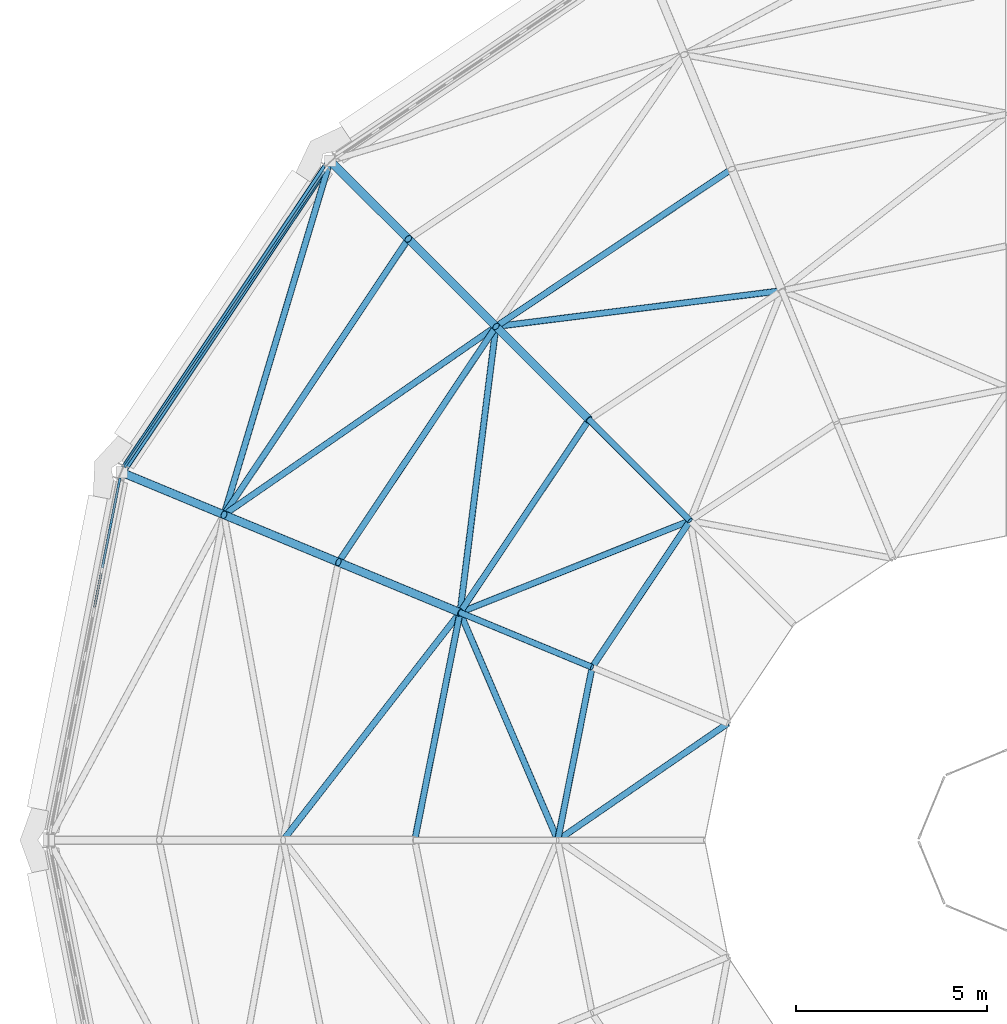
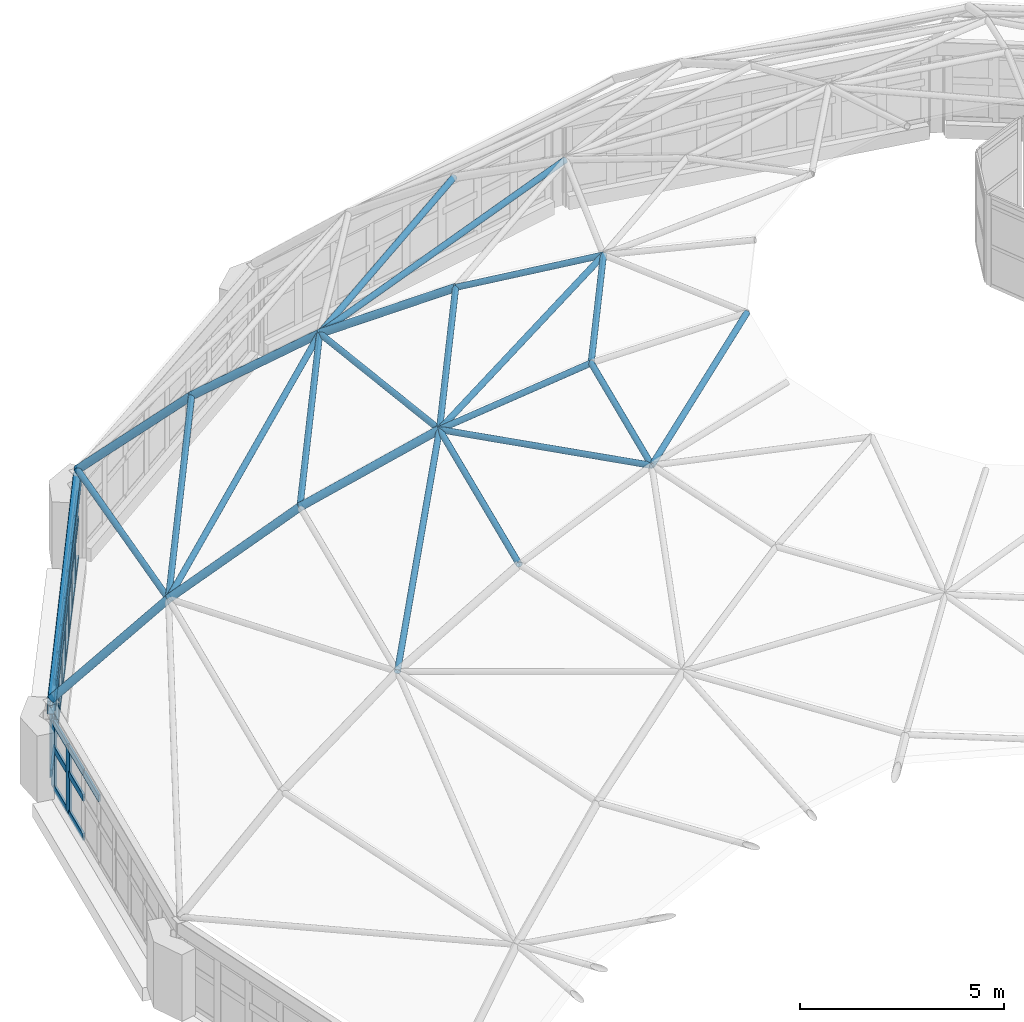
# One storey, part 19 of 68: 64 members, 1 beam, 2 elements without a shape of their own.
"""IFC4 building model written with IfcOpenShell, lengths in metres."""

from ifc_helpers import new_model, si_unit, direction, frame, origin, origin_2d, place, context, subcontext, project, spatial, rectangle, hollow_rectangle, hollow_circle, extrude, material, material_profile, profile_set, type_object, element, aggregate, save


model = new_model("IFC4")

# Units and contexts
model_context = context("Model", 3, precision=1e-05, world=origin(), true_north=direction((0.0, 1.0)))
body_context = subcontext(model_context, "Body", "Model", "MODEL_VIEW")
ifc_project = project(units=[si_unit("LENGTHUNIT", "METRE"), si_unit("AREAUNIT", "SQUARE_METRE"), si_unit("VOLUMEUNIT", "CUBIC_METRE"), si_unit("PLANEANGLEUNIT", "RADIAN"), si_unit("MASSUNIT", "GRAM", prefix="KILO")], contexts=[model_context])

# Site, building, storey
site_placement = place(None, origin())
site = spatial("IfcSite", under=ifc_project, at=site_placement, CompositionType="ELEMENT")
building_placement = place(site_placement, origin())
building = spatial("IfcBuilding", under=site, at=building_placement, Name="Kupolbacken Congress Centre", CompositionType="ELEMENT")
storey_placement = place(building_placement, frame((0.0, 0.0, 25.199951171875)))
storey = spatial("IfcBuildingStorey", under=building, at=storey_placement, Name="L07", CompositionType="ELEMENT", Elevation=25.199951171875)

# Beam
ifc_material_1 = material(Name="Steel S355", Category="steel")
ifc_material_profile_1 = material_profile(ifc_material_1, hollow_rectangle(XDim=0.199951171875, YDim=0.39990234375, WallThickness=0.012451171875, InnerFilletRadius=0.012451171875, OuterFilletRadius=0.018798828125, at=origin_2d()), Name="RHS 400 x 200 x 12.5")
ifc_profile_set_1 = profile_set([ifc_material_profile_1], Name="Steel S355")
beam_type = type_object("IfcBeamType", Name="B19 ring beam RHS 400 x 200 x 12.5", PredefinedType="BEAM", material=ifc_profile_set_1)
beam_placement = place(storey_placement, frame((25.369873046875, 104.20263671875, 2.590087890625), z_axis=(-0.555568614078, -0.831470694042, 0.0), x_axis=(0.831470694042, -0.555568614078, 0.0)))
element("IfcBeam", 1, at=beam_placement, inside=storey, type_object=beam_type, Name="DM/RB/07", PredefinedType="BEAM", context=body_context, shape_type="SweptSolid", body=[
    extrude(hollow_rectangle(XDim=0.199951171875, YDim=0.39990234375, WallThickness=0.012451171875, InnerFilletRadius=0.012451171875, OuterFilletRadius=0.018798828125, at=origin_2d()), origin(), (0.0, 0.0, 1.0), 9.79296875),
])

# Members
ifc_material_2 = material(Name="Steel S355", Category="steel")
ifc_material_profile_2 = material_profile(ifc_material_2, hollow_circle(Radius=0.109619140625, WallThickness=0.010009765625, at=origin_2d()), Name="CHS 219.1 x 10")
ifc_profile_set_2 = profile_set([ifc_material_profile_2], Name="Steel S355")
member_type_1 = type_object("IfcMemberType", Name="M15 dome rib CHS 219.1 x 10", PredefinedType="BRACE", material=ifc_profile_set_2)
for number, where, z_axis, x_axis, name in (
    (2, (25.380859375, 104.218994140625, 2.86279296875), (0.514252591467, -0.51419137092, 0.686404768515), (0.707064687739, 0.707148872128, 0.0), "DM/RIB01-07"),
    (3, (19.918212890625, 96.043701171875, 2.86279296875), (0.671844865625, -0.278312990626, 0.686415585328), (0.382713638863, 0.923867019992, 0.0), "DM/RIB01-08"),
):
    element("IfcMember", number, at=place(storey_placement, frame(where, z_axis=z_axis, x_axis=x_axis)), inside=storey, type_object=member_type_1, Name=name, PredefinedType="BRACE", context=body_context, shape_type="SweptSolid", body=[
        extrude(hollow_circle(Radius=0.109619140625, WallThickness=0.010009765625, at=origin_2d()), origin(), (0.0, 0.0, 1.0), 3.98779296875),
    ])
for number, where, z_axis, x_axis, name in (
    (4, (27.431640625, 102.16845703125, 5.60009765625), (0.564645261565, -0.564645261565, 0.601956358207), (0.707106781187, 0.707106781187, 0.0), "DM/RIB02-07"),
    (5, (22.597412109375, 94.933837890625, 5.60009765625), (0.737757183108, -0.305564280897, 0.601950836043), (0.382656976802, 0.92389049032, 0.0), "DM/RIB02-08"),
):
    element("IfcMember", number, at=place(storey_placement, frame(where, z_axis=z_axis, x_axis=x_axis)), inside=storey, type_object=member_type_1, Name=name, PredefinedType="BRACE", context=body_context, shape_type="SweptSolid", body=[
        extrude(hollow_circle(Radius=0.109619140625, WallThickness=0.010009765625, at=origin_2d()), origin(), (0.0, 0.0, 1.0), 4.070068359375),
    ])
for number, where, z_axis, x_axis, name in (
    (6, (29.729736328125, 99.870361328125, 8.050048828125), (0.611742244633, -0.611742244633, 0.501540479187), (0.707106781187, 0.707106781187, 0.0), "DM/RIB03-07"),
    (7, (25.60009765625, 93.690185546875, 8.050048828125), (0.799291982933, -0.331079277244, 0.501516538311), (0.38268510723, 0.923878838758, 0.0), "DM/RIB03-08"),
):
    element("IfcMember", number, at=place(storey_placement, frame(where, z_axis=z_axis, x_axis=x_axis)), inside=storey, type_object=member_type_1, Name=name, PredefinedType="BRACE", context=body_context, shape_type="SweptSolid", body=[
        extrude(hollow_circle(Radius=0.109619140625, WallThickness=0.010009765625, at=origin_2d()), origin(), (0.0, 0.0, 1.0), 3.98779296875),
    ])
ifc_material_3 = material(Name="Steel S355", Category="steel")
ifc_material_profile_3 = material_profile(ifc_material_3, hollow_circle(Radius=0.084228515625, WallThickness=0.008056640625, at=origin_2d()), Name="CHS 168.3 x 8")
ifc_profile_set_3 = profile_set([ifc_material_profile_3], Name="Steel S355")
member_type_2 = type_object("IfcMemberType", Name="M16 dome rib CHS 168.3 x 8", PredefinedType="BRACE", material=ifc_profile_set_3)
member_1_placement = place(storey_placement, frame((32.169189453125, 97.430908203125, 10.050048828125), z_axis=(0.647230131583, -0.647230131583, 0.402723619302), x_axis=(0.707106781187, 0.707106781187, 0.0)))
element("IfcMember", 8, at=member_1_placement, inside=storey, type_object=member_type_2, Name="DM/RIB04-07", PredefinedType="BRACE", context=body_context, shape_type="SweptSolid", body=[
    extrude(hollow_circle(Radius=0.084228515625, WallThickness=0.008056640625, at=origin_2d()), origin(), (0.0, 0.0, 1.0), 4.096923828125),
])
member_2_placement = place(storey_placement, frame((28.78759765625, 92.369873046875, 10.050048828125), z_axis=(0.84563584583, -0.350292283424, 0.402734816499), x_axis=(0.382700634776, 0.923872406852, 0.0)))
element("IfcMember", 9, at=member_2_placement, inside=storey, type_object=member_type_2, Name="DM/RIB04-08", PredefinedType="BRACE", context=body_context, shape_type="SweptSolid", body=[
    extrude(hollow_circle(Radius=0.084228515625, WallThickness=0.008056640625, at=origin_2d()), origin(), (0.0, 0.0, 1.0), 4.0966796875),
])
member_3_placement = place(storey_placement, frame((25.380859375, 104.218994140625, 2.86279296875), z_axis=(-0.276342224916, -0.921835584423, 0.271761163561), x_axis=(0.957885879919, -0.287149161678, 0.0)))
element("IfcMember", 10, at=member_3_placement, inside=storey, type_object=member_type_2, Name="DM/DIA01-07", PredefinedType="BRACE", context=body_context, shape_type="SweptSolid", body=[
    extrude(hollow_circle(Radius=0.084228515625, WallThickness=0.008056640625, at=origin_2d()), origin(), (0.0, 0.0, 1.0), 10.072509765625),
])
member_4_placement = place(storey_placement, frame((29.729736328125, 99.870361328125, 8.050048828125), z_axis=(-0.791301364718, -0.547686506284, -0.271811775003), x_axis=(0.569113377616, -0.822259061013, 0.0)))
element("IfcMember", 11, at=member_4_placement, inside=storey, type_object=member_type_2, Name="DM/DIA02-07", PredefinedType="BRACE", context=body_context, shape_type="SweptSolid", body=[
    extrude(hollow_circle(Radius=0.084228515625, WallThickness=0.008056640625, at=origin_2d()), origin(), (0.0, 0.0, 1.0), 9.013427734375),
])
for number, where, z_axis, x_axis, name in (
    (12, (37.230224609375, 100.8125, 10.050048828125), (-0.959200155943, -0.120485430694, -0.255770056555), (0.124630949322, -0.99220316794, 0.0), "DM/DIA03-06"),
    (13, (29.729736328125, 99.870361328125, 8.050048828125), (-0.120485430694, -0.959200155943, 0.255770056555), (0.99220316794, -0.124630949322, 0.0), "DM/DIA03-07"),
):
    element("IfcMember", number, at=place(storey_placement, frame(where, z_axis=z_axis, x_axis=x_axis)), inside=storey, type_object=member_type_2, Name=name, PredefinedType="BRACE", context=body_context, shape_type="SweptSolid", body=[
        extrude(hollow_circle(Radius=0.084228515625, WallThickness=0.008056640625, at=origin_2d()), origin(), (0.0, 0.0, 1.0), 7.819580078125),
    ])
member_5_placement = place(storey_placement, frame((28.78759765625, 92.369873046875, 10.050048828125), z_axis=(-0.593073278866, -0.763446035382, -0.255762070987), x_axis=(0.789712047836, -0.613477694381, 0.0)))
element("IfcMember", 14, at=member_5_placement, inside=storey, type_object=member_type_2, Name="DM/DIA03-08", PredefinedType="BRACE", context=body_context, shape_type="SweptSolid", body=[
    extrude(hollow_circle(Radius=0.084228515625, WallThickness=0.008056640625, at=origin_2d()), origin(), (0.0, 0.0, 1.0), 7.81982421875),
])
for number, where, z_axis, x_axis, name in (
    (15, (34.82080078125, 94.779296875, 11.699951171875), (-0.900106794461, -0.359467220562, -0.246152546009), (0.370878752008, -0.928681296952, 0.0), "DM/DIA04-07"),
    (16, (28.78759765625, 92.369873046875, 10.050048828125), (0.38229608389, -0.890652261752, 0.246146811635), (0.918925242936, 0.394431740476, 0.0), "DM/DIA04-08"),
):
    element("IfcMember", number, at=place(storey_placement, frame(where, z_axis=z_axis, x_axis=x_axis)), inside=storey, type_object=member_type_2, Name=name, PredefinedType="BRACE", context=body_context, shape_type="SweptSolid", body=[
        extrude(hollow_circle(Radius=0.084228515625, WallThickness=0.008056640625, at=origin_2d()), origin(), (0.0, 0.0, 1.0), 6.702880859375),
    ])
member_6_placement = place(storey_placement, frame((35.80908203125, 89.46142578125, 12.85009765625), z_axis=(-0.806360510339, -0.553644371422, -0.207991916569), x_axis=(0.56602298576, -0.824389458685, 0.0)))
element("IfcMember", 17, at=member_6_placement, inside=storey, type_object=member_type_2, Name="DM/DIA05-08", PredefinedType="BRACE", context=body_context, shape_type="SweptSolid", body=[
    extrude(hollow_circle(Radius=0.084228515625, WallThickness=0.008056640625, at=origin_2d()), origin(), (0.0, 0.0, 1.0), 5.52978515625),
])
ifc_material_4 = material(Name="Steel S355", Category="steel")
ifc_material_profile_4 = material_profile(ifc_material_4, hollow_circle(Radius=0.084228515625, WallThickness=0.008056640625, at=origin_2d()), Name="CHS 168.3 x 8")
ifc_profile_set_4 = profile_set([ifc_material_profile_4], Name="Steel S355")
member_type_3 = type_object("IfcMemberType", Name="M17 dome ring CHS 168.3 x 8", PredefinedType="BRACE", material=ifc_profile_set_4)
member_7_placement = place(storey_placement, frame((27.431640625, 102.16845703125, 5.60009765625), z_axis=(-0.555586962208, -0.831458433973, 0.0), x_axis=(0.831458433973, -0.555586962208, 0.0)))
element("IfcMember", 18, at=member_7_placement, inside=storey, type_object=member_type_3, Name="DM/RNG01-07", PredefinedType="BRACE", context=body_context, shape_type="SweptSolid", body=[
    extrude(hollow_circle(Radius=0.084228515625, WallThickness=0.008056640625, at=origin_2d()), origin(), (0.0, 0.0, 1.0), 8.701171875),
])
for number, where, z_axis, x_axis, name in (
    (19, (35.909912109375, 104.0, 8.050048828125), (-0.831458597311, -0.555586717766, 0.0), (0.555586717766, -0.831458597311, 0.0), "DM/RNG02-06"),
    (20, (29.729736328125, 99.870361328125, 8.050048828125), (-0.555586717766, -0.831458597311, 0.0), (0.831458597311, -0.555586717766, 0.0), "DM/RNG02-07"),
):
    element("IfcMember", number, at=place(storey_placement, frame(where, z_axis=z_axis, x_axis=x_axis)), inside=storey, type_object=member_type_3, Name=name, PredefinedType="BRACE", context=body_context, shape_type="SweptSolid", body=[
        extrude(hollow_circle(Radius=0.084228515625, WallThickness=0.008056640625, at=origin_2d()), origin(), (0.0, 0.0, 1.0), 7.432861328125),
    ])
for number, where, z_axis, x_axis, name in (
    (21, (32.169189453125, 97.430908203125, 10.050048828125), (-0.555560717191, -0.831475970497, 0.0), (0.831475970497, -0.555560717191, 0.0), "DM/RNG03-07"),
    (22, (28.78759765625, 92.369873046875, 10.050048828125), (-0.195090163074, -0.980785312019, 0.0), (0.980785312019, -0.195090163074, 0.0), "DM/RNG03-08"),
):
    element("IfcMember", number, at=place(storey_placement, frame(where, z_axis=z_axis, x_axis=x_axis)), inside=storey, type_object=member_type_3, Name=name, PredefinedType="BRACE", context=body_context, shape_type="SweptSolid", body=[
        extrude(hollow_circle(Radius=0.084228515625, WallThickness=0.008056640625, at=origin_2d()), origin(), (0.0, 0.0, 1.0), 6.0869140625),
    ])
for number, where, z_axis, x_axis, name in (
    (23, (34.82080078125, 94.779296875, 11.699951171875), (-0.555577204826, -0.831464953848, 0.0), (0.831464953848, -0.555577204826, 0.0), "DM/RNG04-07"),
    (24, (32.251953125, 90.934814453125, 11.699951171875), (-0.195049829128, -0.98079333407, 0.0), (0.98079333407, -0.195049829128, 0.0), "DM/RNG04-08"),
):
    element("IfcMember", number, at=place(storey_placement, frame(where, z_axis=z_axis, x_axis=x_axis)), inside=storey, type_object=member_type_3, Name=name, PredefinedType="BRACE", context=body_context, shape_type="SweptSolid", body=[
        extrude(hollow_circle(Radius=0.084228515625, WallThickness=0.008056640625, at=origin_2d()), origin(), (0.0, 0.0, 1.0), 4.623779296875),
    ])

# Curtain wall, members
ifc_material_5 = material(Name="Aluminium mullion-transom frame with glass", Category="aluminium")
curtain_wall_type = type_object("IfcCurtainWallType", Name="CW3 curtain wall 9830x3600", PredefinedType="NOTDEFINED", material=ifc_material_5)
curtain_wall_1_placement = place(storey_placement, origin())
curtain_wall_1 = element("IfcCurtainWall", 25, at=curtain_wall_1_placement, inside=storey, type_object=curtain_wall_type, Name="E/P/drum/cw/L07/14", PredefinedType="NOTDEFINED")
ifc_material_6 = material(Name="Aluminium alloy", Category="aluminium")
ifc_material_profile_5 = material_profile(ifc_material_6, rectangle(XDim=0.06005859375, YDim=0.25, at=origin_2d()), Name="60 x 250")
ifc_profile_set_5 = profile_set([ifc_material_profile_5], Name="Aluminium alloy")
member_type_4 = type_object("IfcMemberType", Name="MU3 mullion 60x250", PredefinedType="MULLION", material=ifc_profile_set_5)
member_8_placement = place(storey_placement, frame((24.607666015625, 103.02587890625, 0.400146484375), z_axis=(0.0, 0.0, 1.0), x_axis=(0.82890762338, -0.559385512775, 0.0)))
member_8 = element("IfcMember", 26, at=member_8_placement, type_object=member_type_4, Name="CW3 mullion 2", PredefinedType="MULLION", context=body_context, shape_type="SweptSolid", body=[
    extrude(rectangle(XDim=0.06005859375, YDim=0.25, at=origin_2d()), origin(), (0.0, 0.0, 1.0), 1.989990234375),
])
member_9_placement = place(storey_placement, frame((23.955078125, 102.058837890625, 0.400146484375), z_axis=(0.0, 0.0, 1.0), x_axis=(0.82890762338, -0.559385512775, 0.0)))
member_9 = element("IfcMember", 27, at=member_9_placement, type_object=member_type_4, Name="CW3 mullion 3", PredefinedType="MULLION", context=body_context, shape_type="SweptSolid", body=[
    extrude(rectangle(XDim=0.06005859375, YDim=0.25, at=origin_2d()), origin(), (0.0, 0.0, 1.0), 1.989990234375),
])
member_10_placement = place(storey_placement, frame((23.302490234375, 101.092041015625, 0.400146484375), z_axis=(0.0, 0.0, 1.0), x_axis=(0.82890762338, -0.559385512775, 0.0)))
member_10 = element("IfcMember", 28, at=member_10_placement, type_object=member_type_4, Name="CW3 mullion 4", PredefinedType="MULLION", context=body_context, shape_type="SweptSolid", body=[
    extrude(rectangle(XDim=0.06005859375, YDim=0.25, at=origin_2d()), origin(), (0.0, 0.0, 1.0), 1.989990234375),
])
member_11_placement = place(storey_placement, frame((22.64990234375, 100.125, 0.400146484375), z_axis=(0.0, 0.0, 1.0), x_axis=(0.82890762338, -0.559385512775, 0.0)))
member_11 = element("IfcMember", 29, at=member_11_placement, type_object=member_type_4, Name="CW3 mullion 5", PredefinedType="MULLION", context=body_context, shape_type="SweptSolid", body=[
    extrude(rectangle(XDim=0.06005859375, YDim=0.25, at=origin_2d()), origin(), (0.0, 0.0, 1.0), 1.989990234375),
])
member_12_placement = place(storey_placement, frame((21.99755859375, 99.157958984375, 0.400146484375), z_axis=(0.0, 0.0, 1.0), x_axis=(0.82890762338, -0.559385512775, 0.0)))
member_12 = element("IfcMember", 30, at=member_12_placement, type_object=member_type_4, Name="CW3 mullion 6", PredefinedType="MULLION", context=body_context, shape_type="SweptSolid", body=[
    extrude(rectangle(XDim=0.06005859375, YDim=0.25, at=origin_2d()), origin(), (0.0, 0.0, 1.0), 1.989990234375),
])
member_13_placement = place(storey_placement, frame((21.344970703125, 98.191162109375, 0.400146484375), z_axis=(0.0, 0.0, 1.0), x_axis=(0.82890762338, -0.559385512775, 0.0)))
member_13 = element("IfcMember", 31, at=member_13_placement, type_object=member_type_4, Name="CW3 mullion 7", PredefinedType="MULLION", context=body_context, shape_type="SweptSolid", body=[
    extrude(rectangle(XDim=0.06005859375, YDim=0.25, at=origin_2d()), origin(), (0.0, 0.0, 1.0), 1.989990234375),
])
member_14_placement = place(storey_placement, frame((20.6923828125, 97.22412109375, 0.400146484375), z_axis=(0.0, 0.0, 1.0), x_axis=(0.82890762338, -0.559385512775, 0.0)))
member_14 = element("IfcMember", 32, at=member_14_placement, type_object=member_type_4, Name="CW3 mullion 8", PredefinedType="MULLION", context=body_context, shape_type="SweptSolid", body=[
    extrude(rectangle(XDim=0.06005859375, YDim=0.25, at=origin_2d()), origin(), (0.0, 0.0, 1.0), 1.989990234375),
])
member_15_placement = place(storey_placement, frame((20.056640625, 96.281982421875, 0.400146484375), z_axis=(0.0, 0.0, 1.0), x_axis=(0.82890762338, -0.559385512775, 0.0)))
member_15 = element("IfcMember", 33, at=member_15_placement, type_object=member_type_4, Name="CW3 mullion 9", PredefinedType="MULLION", context=body_context, shape_type="SweptSolid", body=[
    extrude(rectangle(XDim=0.06005859375, YDim=0.25, at=origin_2d()), origin(), (0.0, 0.0, 1.0), 1.989990234375),
])

curtain_wall_2_placement = place(storey_placement, origin())
curtain_wall_2 = element("IfcCurtainWall", 34, at=curtain_wall_2_placement, inside=storey, type_object=curtain_wall_type, Name="E/P/drum/cw/L07/15", PredefinedType="NOTDEFINED")
member_16_placement = place(storey_placement, frame((19.845947265625, 95.775390625, 0.400146484375), z_axis=(0.0, 0.0, 1.0), x_axis=(0.981162875481, -0.193182327812, 0.0)))
member_16 = element("IfcMember", 35, at=member_16_placement, type_object=member_type_4, Name="CW3 mullion 1", PredefinedType="MULLION", context=body_context, shape_type="SweptSolid", body=[
    extrude(rectangle(XDim=0.06005859375, YDim=0.25, at=origin_2d()), origin(), (0.0, 0.0, 1.0), 1.989990234375),
])
member_17_placement = place(storey_placement, frame((19.626220703125, 94.65966796875, 0.400146484375), z_axis=(0.0, 0.0, 1.0), x_axis=(0.981162875481, -0.193182327812, 0.0)))
member_17 = element("IfcMember", 36, at=member_17_placement, type_object=member_type_4, Name="CW3 mullion 2", PredefinedType="MULLION", context=body_context, shape_type="SweptSolid", body=[
    extrude(rectangle(XDim=0.06005859375, YDim=0.25, at=origin_2d()), origin(), (0.0, 0.0, 1.0), 1.989990234375),
])

# Member
ifc_material_7 = material(Name="Aluminium alloy", Category="aluminium")
ifc_material_profile_6 = material_profile(ifc_material_7, rectangle(XDim=0.06005859375, YDim=0.199951171875, at=origin_2d()), Name="60 x 200")
ifc_profile_set_6 = profile_set([ifc_material_profile_6], Name="Aluminium alloy")
member_type_5 = type_object("IfcMemberType", Name="TR3 transom 60x200", PredefinedType="MULLION", material=ifc_profile_set_6)
member_18_placement = place(storey_placement, frame((25.2265625, 103.943115234375, 0.429931640625), z_axis=(-0.559297554216, -0.828966975125, 0.0), x_axis=(0.828966975125, -0.559297554216, 0.0)))
member_18 = element("IfcMember", 37, at=member_18_placement, type_object=member_type_5, Name="CW3 transom 1.1", PredefinedType="MULLION", context=body_context, shape_type="SweptSolid", body=[
    extrude(rectangle(XDim=0.06005859375, YDim=0.199951171875, at=origin_2d()), origin(), (0.0, 0.0, 1.0), 1.076416015625),
])

member_19_placement = place(storey_placement, frame((25.2265625, 103.943115234375, 1.60009765625), z_axis=(-0.559297554216, -0.828966975125, 0.0), x_axis=(0.828966975125, -0.559297554216, 0.0)))
member_19 = element("IfcMember", 38, at=member_19_placement, type_object=member_type_5, Name="CW3 transom 1.2", PredefinedType="MULLION", context=body_context, shape_type="SweptSolid", body=[
    extrude(rectangle(XDim=0.06005859375, YDim=0.199951171875, at=origin_2d()), origin(), (0.0, 0.0, 1.0), 1.076416015625),
])

member_20_placement = place(storey_placement, frame((25.2265625, 103.943115234375, 2.360107421875), z_axis=(-0.559297554216, -0.828966975125, 0.0), x_axis=(0.828966975125, -0.559297554216, 0.0)))
member_20 = element("IfcMember", 39, at=member_20_placement, type_object=member_type_5, Name="CW3 transom 1.3", PredefinedType="MULLION", context=body_context, shape_type="SweptSolid", body=[
    extrude(rectangle(XDim=0.06005859375, YDim=0.199951171875, at=origin_2d()), origin(), (0.0, 0.0, 1.0), 1.076416015625),
])

member_21_placement = place(storey_placement, frame((24.5908203125, 103.0009765625, 0.429931640625), z_axis=(-0.559325057342, -0.828948418317, 0.0), x_axis=(0.828948418317, -0.559325057342, 0.0)))
member_21 = element("IfcMember", 40, at=member_21_placement, type_object=member_type_5, Name="CW3 transom 2.1", PredefinedType="MULLION", context=body_context, shape_type="SweptSolid", body=[
    extrude(rectangle(XDim=0.06005859375, YDim=0.199951171875, at=origin_2d()), origin(), (0.0, 0.0, 1.0), 1.1064453125),
])

member_22_placement = place(storey_placement, frame((24.5908203125, 103.0009765625, 1.60009765625), z_axis=(-0.559325057342, -0.828948418317, 0.0), x_axis=(0.828948418317, -0.559325057342, 0.0)))
member_22 = element("IfcMember", 41, at=member_22_placement, type_object=member_type_5, Name="CW3 transom 2.2", PredefinedType="MULLION", context=body_context, shape_type="SweptSolid", body=[
    extrude(rectangle(XDim=0.06005859375, YDim=0.199951171875, at=origin_2d()), origin(), (0.0, 0.0, 1.0), 1.1064453125),
])

member_23_placement = place(storey_placement, frame((24.5908203125, 103.0009765625, 2.360107421875), z_axis=(-0.559325057342, -0.828948418317, 0.0), x_axis=(0.828948418317, -0.559325057342, 0.0)))
member_23 = element("IfcMember", 42, at=member_23_placement, type_object=member_type_5, Name="CW3 transom 2.3", PredefinedType="MULLION", context=body_context, shape_type="SweptSolid", body=[
    extrude(rectangle(XDim=0.06005859375, YDim=0.199951171875, at=origin_2d()), origin(), (0.0, 0.0, 1.0), 1.1064453125),
])

member_24_placement = place(storey_placement, frame((23.938232421875, 102.033935546875, 0.429931640625), z_axis=(-0.559325057342, -0.828948418317, 0.0), x_axis=(0.828948418317, -0.559325057342, 0.0)))
member_24 = element("IfcMember", 43, at=member_24_placement, type_object=member_type_5, Name="CW3 transom 3.1", PredefinedType="MULLION", context=body_context, shape_type="SweptSolid", body=[
    extrude(rectangle(XDim=0.06005859375, YDim=0.199951171875, at=origin_2d()), origin(), (0.0, 0.0, 1.0), 1.1064453125),
])

member_25_placement = place(storey_placement, frame((23.938232421875, 102.033935546875, 1.60009765625), z_axis=(-0.559325057342, -0.828948418317, 0.0), x_axis=(0.828948418317, -0.559325057342, 0.0)))
member_25 = element("IfcMember", 44, at=member_25_placement, type_object=member_type_5, Name="CW3 transom 3.2", PredefinedType="MULLION", context=body_context, shape_type="SweptSolid", body=[
    extrude(rectangle(XDim=0.06005859375, YDim=0.199951171875, at=origin_2d()), origin(), (0.0, 0.0, 1.0), 1.1064453125),
])

member_26_placement = place(storey_placement, frame((23.938232421875, 102.033935546875, 2.360107421875), z_axis=(-0.559325057342, -0.828948418317, 0.0), x_axis=(0.828948418317, -0.559325057342, 0.0)))
member_26 = element("IfcMember", 45, at=member_26_placement, type_object=member_type_5, Name="CW3 transom 3.3", PredefinedType="MULLION", context=body_context, shape_type="SweptSolid", body=[
    extrude(rectangle(XDim=0.06005859375, YDim=0.199951171875, at=origin_2d()), origin(), (0.0, 0.0, 1.0), 1.1064453125),
])

member_27_placement = place(storey_placement, frame((23.28564453125, 101.067138671875, 0.429931640625), z_axis=(-0.559325057342, -0.828948418317, 0.0), x_axis=(0.828948418317, -0.559325057342, 0.0)))
member_27 = element("IfcMember", 46, at=member_27_placement, type_object=member_type_5, Name="CW3 transom 4.1", PredefinedType="MULLION", context=body_context, shape_type="SweptSolid", body=[
    extrude(rectangle(XDim=0.06005859375, YDim=0.199951171875, at=origin_2d()), origin(), (0.0, 0.0, 1.0), 1.1064453125),
])

member_28_placement = place(storey_placement, frame((23.28564453125, 101.067138671875, 1.60009765625), z_axis=(-0.559325057342, -0.828948418317, 0.0), x_axis=(0.828948418317, -0.559325057342, 0.0)))
member_28 = element("IfcMember", 47, at=member_28_placement, type_object=member_type_5, Name="CW3 transom 4.2", PredefinedType="MULLION", context=body_context, shape_type="SweptSolid", body=[
    extrude(rectangle(XDim=0.06005859375, YDim=0.199951171875, at=origin_2d()), origin(), (0.0, 0.0, 1.0), 1.1064453125),
])

member_29_placement = place(storey_placement, frame((23.28564453125, 101.067138671875, 2.360107421875), z_axis=(-0.559325057342, -0.828948418317, 0.0), x_axis=(0.828948418317, -0.559325057342, 0.0)))
member_29 = element("IfcMember", 48, at=member_29_placement, type_object=member_type_5, Name="CW3 transom 4.3", PredefinedType="MULLION", context=body_context, shape_type="SweptSolid", body=[
    extrude(rectangle(XDim=0.06005859375, YDim=0.199951171875, at=origin_2d()), origin(), (0.0, 0.0, 1.0), 1.1064453125),
])

member_30_placement = place(storey_placement, frame((22.63330078125, 100.10009765625, 0.429931640625), z_axis=(-0.559476643983, -0.8288461165, 0.0), x_axis=(0.8288461165, -0.559476643983, 0.0)))
member_30 = element("IfcMember", 49, at=member_30_placement, type_object=member_type_5, Name="CW3 transom 5.1", PredefinedType="MULLION", context=body_context, shape_type="SweptSolid", body=[
    extrude(rectangle(XDim=0.06005859375, YDim=0.199951171875, at=origin_2d()), origin(), (0.0, 0.0, 1.0), 1.106689453125),
])

member_31_placement = place(storey_placement, frame((22.63330078125, 100.10009765625, 1.60009765625), z_axis=(-0.559476643983, -0.8288461165, 0.0), x_axis=(0.8288461165, -0.559476643983, 0.0)))
member_31 = element("IfcMember", 50, at=member_31_placement, type_object=member_type_5, Name="CW3 transom 5.2", PredefinedType="MULLION", context=body_context, shape_type="SweptSolid", body=[
    extrude(rectangle(XDim=0.06005859375, YDim=0.199951171875, at=origin_2d()), origin(), (0.0, 0.0, 1.0), 1.106689453125),
])

member_32_placement = place(storey_placement, frame((22.63330078125, 100.10009765625, 2.360107421875), z_axis=(-0.559476643983, -0.8288461165, 0.0), x_axis=(0.8288461165, -0.559476643983, 0.0)))
member_32 = element("IfcMember", 51, at=member_32_placement, type_object=member_type_5, Name="CW3 transom 5.3", PredefinedType="MULLION", context=body_context, shape_type="SweptSolid", body=[
    extrude(rectangle(XDim=0.06005859375, YDim=0.199951171875, at=origin_2d()), origin(), (0.0, 0.0, 1.0), 1.106689453125),
])

member_33_placement = place(storey_placement, frame((21.980712890625, 99.13330078125, 0.429931640625), z_axis=(-0.559325057342, -0.828948418317, 0.0), x_axis=(0.828948418317, -0.559325057342, 0.0)))
member_33 = element("IfcMember", 52, at=member_33_placement, type_object=member_type_5, Name="CW3 transom 6.1", PredefinedType="MULLION", context=body_context, shape_type="SweptSolid", body=[
    extrude(rectangle(XDim=0.06005859375, YDim=0.199951171875, at=origin_2d()), origin(), (0.0, 0.0, 1.0), 1.1064453125),
])

member_34_placement = place(storey_placement, frame((21.980712890625, 99.13330078125, 1.60009765625), z_axis=(-0.559325057342, -0.828948418317, 0.0), x_axis=(0.828948418317, -0.559325057342, 0.0)))
member_34 = element("IfcMember", 53, at=member_34_placement, type_object=member_type_5, Name="CW3 transom 6.2", PredefinedType="MULLION", context=body_context, shape_type="SweptSolid", body=[
    extrude(rectangle(XDim=0.06005859375, YDim=0.199951171875, at=origin_2d()), origin(), (0.0, 0.0, 1.0), 1.1064453125),
])

member_35_placement = place(storey_placement, frame((21.980712890625, 99.13330078125, 2.360107421875), z_axis=(-0.559325057342, -0.828948418317, 0.0), x_axis=(0.828948418317, -0.559325057342, 0.0)))
member_35 = element("IfcMember", 54, at=member_35_placement, type_object=member_type_5, Name="CW3 transom 6.3", PredefinedType="MULLION", context=body_context, shape_type="SweptSolid", body=[
    extrude(rectangle(XDim=0.06005859375, YDim=0.199951171875, at=origin_2d()), origin(), (0.0, 0.0, 1.0), 1.1064453125),
])

member_36_placement = place(storey_placement, frame((21.328125, 98.166259765625, 0.429931640625), z_axis=(-0.559325057342, -0.828948418317, 0.0), x_axis=(0.828948418317, -0.559325057342, 0.0)))
member_36 = element("IfcMember", 55, at=member_36_placement, type_object=member_type_5, Name="CW3 transom 7.1", PredefinedType="MULLION", context=body_context, shape_type="SweptSolid", body=[
    extrude(rectangle(XDim=0.06005859375, YDim=0.199951171875, at=origin_2d()), origin(), (0.0, 0.0, 1.0), 1.1064453125),
])

member_37_placement = place(storey_placement, frame((21.328125, 98.166259765625, 1.60009765625), z_axis=(-0.559325057342, -0.828948418317, 0.0), x_axis=(0.828948418317, -0.559325057342, 0.0)))
member_37 = element("IfcMember", 56, at=member_37_placement, type_object=member_type_5, Name="CW3 transom 7.2", PredefinedType="MULLION", context=body_context, shape_type="SweptSolid", body=[
    extrude(rectangle(XDim=0.06005859375, YDim=0.199951171875, at=origin_2d()), origin(), (0.0, 0.0, 1.0), 1.1064453125),
])

member_38_placement = place(storey_placement, frame((21.328125, 98.166259765625, 2.360107421875), z_axis=(-0.559325057342, -0.828948418317, 0.0), x_axis=(0.828948418317, -0.559325057342, 0.0)))
member_38 = element("IfcMember", 57, at=member_38_placement, type_object=member_type_5, Name="CW3 transom 7.3", PredefinedType="MULLION", context=body_context, shape_type="SweptSolid", body=[
    extrude(rectangle(XDim=0.06005859375, YDim=0.199951171875, at=origin_2d()), origin(), (0.0, 0.0, 1.0), 1.1064453125),
])

member_39_placement = place(storey_placement, frame((20.675537109375, 97.19921875, 0.429931640625), z_axis=(-0.559297554216, -0.828966975125, 0.0), x_axis=(0.828966975125, -0.559297554216, 0.0)))
member_39 = element("IfcMember", 58, at=member_39_placement, type_object=member_type_5, Name="CW3 transom 8.1", PredefinedType="MULLION", context=body_context, shape_type="SweptSolid", body=[
    extrude(rectangle(XDim=0.06005859375, YDim=0.199951171875, at=origin_2d()), origin(), (0.0, 0.0, 1.0), 1.076416015625),
])

member_40_placement = place(storey_placement, frame((20.675537109375, 97.19921875, 1.60009765625), z_axis=(-0.559297554216, -0.828966975125, 0.0), x_axis=(0.828966975125, -0.559297554216, 0.0)))
member_40 = element("IfcMember", 59, at=member_40_placement, type_object=member_type_5, Name="CW3 transom 8.2", PredefinedType="MULLION", context=body_context, shape_type="SweptSolid", body=[
    extrude(rectangle(XDim=0.06005859375, YDim=0.199951171875, at=origin_2d()), origin(), (0.0, 0.0, 1.0), 1.076416015625),
])

member_41_placement = place(storey_placement, frame((20.675537109375, 97.19921875, 2.360107421875), z_axis=(-0.559297554216, -0.828966975125, 0.0), x_axis=(0.828966975125, -0.559297554216, 0.0)))
member_41 = element("IfcMember", 60, at=member_41_placement, type_object=member_type_5, Name="CW3 transom 8.3", PredefinedType="MULLION", context=body_context, shape_type="SweptSolid", body=[
    extrude(rectangle(XDim=0.06005859375, YDim=0.199951171875, at=origin_2d()), origin(), (0.0, 0.0, 1.0), 1.076416015625),
])

aggregate(curtain_wall_1, [member_8, member_9, member_10, member_11, member_12, member_13, member_14, member_15, member_18, member_19, member_20, member_21, member_22, member_23, member_24, member_25, member_26, member_27, member_28, member_29, member_30, member_31, member_32, member_33, member_34, member_35, member_36, member_37, member_38, member_39, member_40, member_41])

member_42_placement = place(storey_placement, frame((19.840087890625, 95.745849609375, 0.429931640625), z_axis=(-0.193150665626, -0.981169108955, 0.0), x_axis=(0.981169108955, -0.193150665626, 0.0)))
member_42 = element("IfcMember", 61, at=member_42_placement, type_object=member_type_5, Name="CW3 transom 1.1", PredefinedType="MULLION", context=body_context, shape_type="SweptSolid", body=[
    extrude(rectangle(XDim=0.06005859375, YDim=0.199951171875, at=origin_2d()), origin(), (0.0, 0.0, 1.0), 1.076904296875),
])

member_43_placement = place(storey_placement, frame((19.840087890625, 95.745849609375, 1.60009765625), z_axis=(-0.193150665626, -0.981169108955, 0.0), x_axis=(0.981169108955, -0.193150665626, 0.0)))
member_43 = element("IfcMember", 62, at=member_43_placement, type_object=member_type_5, Name="CW3 transom 1.2", PredefinedType="MULLION", context=body_context, shape_type="SweptSolid", body=[
    extrude(rectangle(XDim=0.06005859375, YDim=0.199951171875, at=origin_2d()), origin(), (0.0, 0.0, 1.0), 1.076904296875),
])

member_44_placement = place(storey_placement, frame((19.840087890625, 95.745849609375, 2.360107421875), z_axis=(-0.193150665626, -0.981169108955, 0.0), x_axis=(0.981169108955, -0.193150665626, 0.0)))
member_44 = element("IfcMember", 63, at=member_44_placement, type_object=member_type_5, Name="CW3 transom 1.3", PredefinedType="MULLION", context=body_context, shape_type="SweptSolid", body=[
    extrude(rectangle(XDim=0.06005859375, YDim=0.199951171875, at=origin_2d()), origin(), (0.0, 0.0, 1.0), 1.076904296875),
])

member_45_placement = place(storey_placement, frame((19.620361328125, 94.63037109375, 0.429931640625), z_axis=(-0.192976609908, -0.981203357122, 0.0), x_axis=(0.981203357122, -0.192976609908, 0.0)))
member_45 = element("IfcMember", 64, at=member_45_placement, type_object=member_type_5, Name="CW3 transom 2.1", PredefinedType="MULLION", context=body_context, shape_type="SweptSolid", body=[
    extrude(rectangle(XDim=0.06005859375, YDim=0.199951171875, at=origin_2d()), origin(), (0.0, 0.0, 1.0), 1.10693359375),
])

member_46_placement = place(storey_placement, frame((19.620361328125, 94.63037109375, 1.60009765625), z_axis=(-0.192976609908, -0.981203357122, 0.0), x_axis=(0.981203357122, -0.192976609908, 0.0)))
member_46 = element("IfcMember", 65, at=member_46_placement, type_object=member_type_5, Name="CW3 transom 2.2", PredefinedType="MULLION", context=body_context, shape_type="SweptSolid", body=[
    extrude(rectangle(XDim=0.06005859375, YDim=0.199951171875, at=origin_2d()), origin(), (0.0, 0.0, 1.0), 1.10693359375),
])

member_47_placement = place(storey_placement, frame((19.620361328125, 94.63037109375, 2.360107421875), z_axis=(-0.192976609908, -0.981203357122, 0.0), x_axis=(0.981203357122, -0.192976609908, 0.0)))
member_47 = element("IfcMember", 66, at=member_47_placement, type_object=member_type_5, Name="CW3 transom 2.3", PredefinedType="MULLION", context=body_context, shape_type="SweptSolid", body=[
    extrude(rectangle(XDim=0.06005859375, YDim=0.199951171875, at=origin_2d()), origin(), (0.0, 0.0, 1.0), 1.10693359375),
])

member_48_placement = place(storey_placement, frame((19.39501953125, 93.4853515625, 2.360107421875), z_axis=(-0.193230739208, -0.981153342462, 0.0), x_axis=(0.981153342462, -0.193230739208, 0.0)))
member_48 = element("IfcMember", 67, at=member_48_placement, type_object=member_type_5, Name="CW3 transom 3.3", PredefinedType="MULLION", context=body_context, shape_type="SweptSolid", body=[
    extrude(rectangle(XDim=0.06005859375, YDim=0.199951171875, at=origin_2d()), origin(), (0.0, 0.0, 1.0), 1.106689453125),
])

aggregate(curtain_wall_2, [member_16, member_17, member_42, member_43, member_44, member_45, member_46, member_47, member_48])

save(model, "model.ifc")
